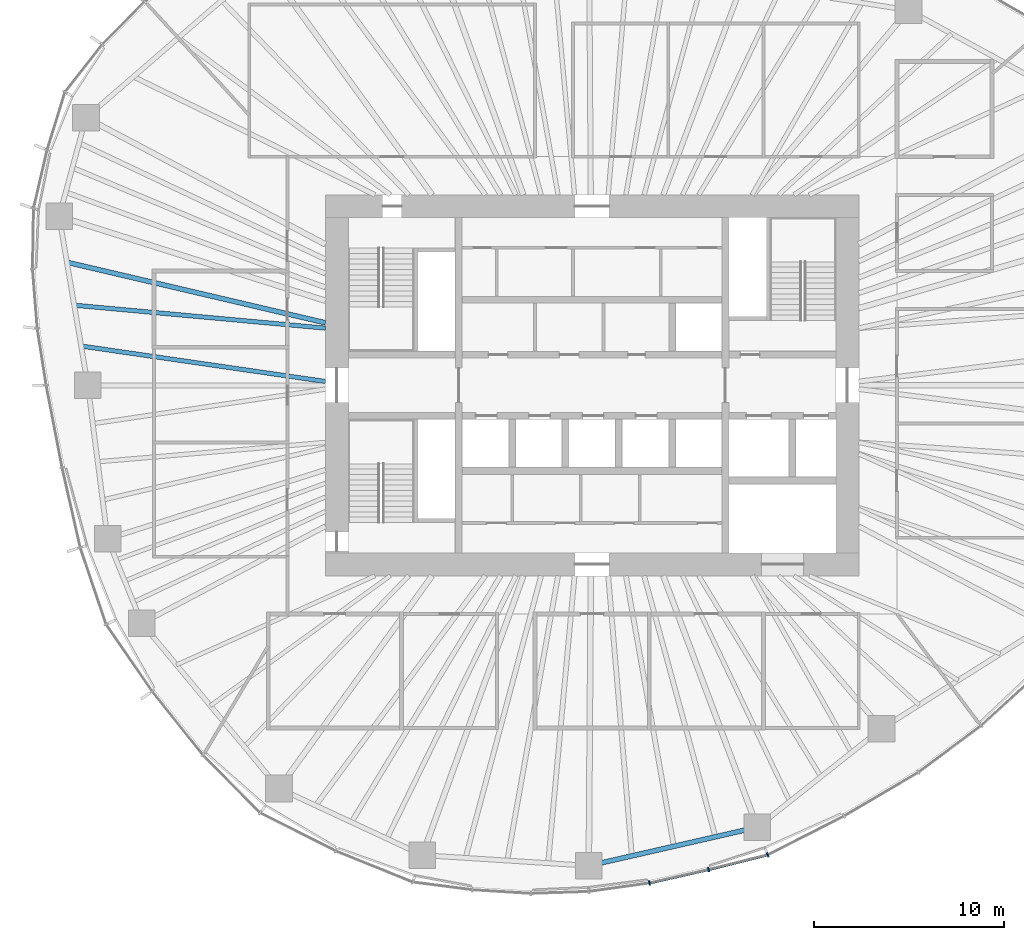
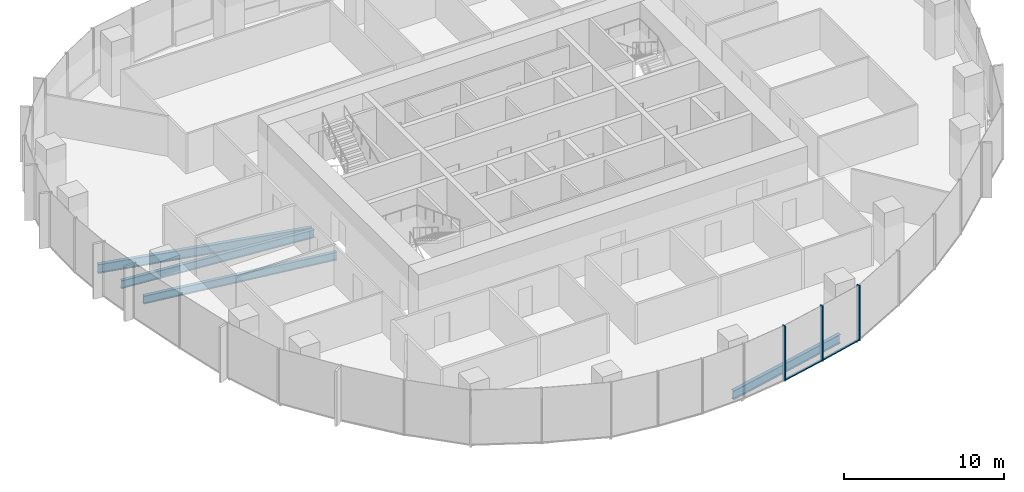
# One storey, part 3 of 18: 5 members, 4 beams, 2 elements without a shape of their own.
"""IFC4 building model written with IfcOpenShell, lengths in metres."""

import ifcopenshell
import ifcopenshell.guid

model = None  # the IFC model being written
_history = None  # IfcOwnerHistory: only IFC2X3 demands one
_inside = {}  # id of a spatial element -> (the spatial element, [elements in it])
_under = {}  # id of a project, library or spatial element -> (it, [spatial elements below it])
_declared = {}  # id of a project -> (the project, [libraries it declares])
_typed = {}  # id of a type object -> (the type object, [elements of that type])
_made_of = {}  # id of a material, layer set ... -> (it, [elements and type objects made of it])


def new_model(schema):
    """Start an empty IFC model of exactly this schema.

    Asked for "IFC4X3", IfcOpenShell would pick the latest addendum, in which some entities
    have other attributes; the version numbers below select the first issue.
    IFC2X3 requires an IfcOwnerHistory on every rooted entity: one is made here for all.
    """
    global model, _history
    if schema == "IFC4X3":
        model = ifcopenshell.file(schema_version=(4, 3, 0, 0))
    else:
        model = ifcopenshell.file(schema=schema)
    _inside.clear()
    _under.clear()
    _declared.clear()
    _typed.clear()
    _made_of.clear()
    _history = None
    if model.schema == "IFC2X3":
        org = make("IfcOrganization", Name="unknown")
        user = make(
            "IfcPersonAndOrganization",
            ThePerson=make("IfcPerson", FamilyName="unknown"),
            TheOrganization=org,
        )
        app = make(
            "IfcApplication",
            ApplicationDeveloper=org,
            Version="unknown",
            ApplicationFullName="unknown",
            ApplicationIdentifier="unknown",
        )
        _history = make(
            "IfcOwnerHistory",
            OwningUser=user,
            OwningApplication=app,
            ChangeAction="ADDED",
            CreationDate=0,
        )
    return model


def make(cls, **values):
    """One entity of the class cls with the attributes given. An attribute that is None is left unset."""
    return model.create_entity(
        cls, **{name: value for name, value in values.items() if value is not None}
    )


def rooted(cls, **values):
    """An entity with a GlobalId (a new one), such as an element, a storey or a relation."""
    return make(cls, GlobalId=ifcopenshell.guid.new(), OwnerHistory=_history, **values)


def si_unit(unit_type, name, prefix=None):
    """IfcSIUnit, for example si_unit("LENGTHUNIT", "METRE", prefix="MILLI")."""
    return make("IfcSIUnit", UnitType=unit_type, Prefix=prefix, Name=name)


def assignment(units):
    """IfcUnitAssignment: the units of a project."""
    return None if units is None else make("IfcUnitAssignment", Units=units)


def point(xyz):
    """IfcCartesianPoint."""
    return None if xyz is None else make("IfcCartesianPoint", Coordinates=xyz)


def direction(xyz):
    """IfcDirection."""
    return None if xyz is None else make("IfcDirection", DirectionRatios=xyz)


def frame(location, z_axis=None, x_axis=None):
    """IfcAxis2Placement3D, a coordinate frame: its origin and axes. An axis left out is left unset."""
    return make(
        "IfcAxis2Placement3D",
        Location=point(location),
        Axis=direction(z_axis),
        RefDirection=direction(x_axis),
    )


def frame_2d(location, x_axis=None):
    """IfcAxis2Placement2D, a coordinate frame in the plane: its origin and x axis."""
    return make(
        "IfcAxis2Placement2D", Location=point(location), RefDirection=direction(x_axis)
    )


def origin():
    """The frame at (0, 0, 0) with its axes left unset."""
    return frame((0.0, 0.0, 0.0))


def origin_2d():
    """The frame at (0, 0) in the plane with its x axis left unset."""
    return frame_2d((0.0, 0.0))


def place(relative_to, where):
    """IfcLocalPlacement: puts the frame where relative to a parent placement (None: the world)."""
    return make(
        "IfcLocalPlacement", PlacementRelTo=relative_to, RelativePlacement=where
    )


def context(
    kind, dimensions, precision=None, world=None, true_north=None, identifier=None
):
    """IfcGeometricRepresentationContext, for example the 3D "Model" context."""
    return make(
        "IfcGeometricRepresentationContext",
        ContextIdentifier=identifier,
        ContextType=kind,
        CoordinateSpaceDimension=dimensions,
        Precision=precision,
        WorldCoordinateSystem=world,
        TrueNorth=true_north,
    )


def subcontext(parent, identifier, kind, view, scale=None):
    """IfcGeometricRepresentationSubContext, for example "Body" below "Model"."""
    return make(
        "IfcGeometricRepresentationSubContext",
        ContextIdentifier=identifier,
        ContextType=kind,
        ParentContext=parent,
        TargetScale=scale,
        TargetView=view,
    )


def project(units=None, contexts=None):
    """IfcProject with its units and contexts."""
    return rooted(
        "IfcProject",
        Name="project",
        RepresentationContexts=contexts,
        UnitsInContext=assignment(units),
    )


def spatial(cls, under=None, at=None, **own):
    """A site, building, storey or space (cls), placed at a placement, below another one or the project."""
    s = rooted(cls, ObjectPlacement=at, **own)
    if under is not None:
        _under.setdefault(under.id(), (under, []))[1].append(s)
    return s


def profile(cls, at=None, kind="AREA", **sizes):
    """A parametric profile (cls). Its sizes go by their IFC names, for example OverallWidth=200.0."""
    return make(cls, ProfileType=kind, Position=at, **sizes)


def rectangle(**sizes):
    """IfcRectangleProfileDef."""
    return profile("IfcRectangleProfileDef", **sizes)


def i_section(**sizes):
    """IfcIShapeProfileDef."""
    return profile("IfcIShapeProfileDef", **sizes)


def extrude(swept, where, along, depth):
    """IfcExtrudedAreaSolid: the profile swept, set in the frame where, extruded along a direction by depth."""
    return make(
        "IfcExtrudedAreaSolid",
        SweptArea=swept,
        Position=where,
        ExtrudedDirection=direction(along),
        Depth=depth,
    )


def shape(context_of_items, identifier, shape_type, items):
    """IfcShapeRepresentation: the items that make up one representation, for example the "Body"."""
    return make(
        "IfcShapeRepresentation",
        ContextOfItems=context_of_items,
        RepresentationIdentifier=identifier,
        RepresentationType=shape_type,
        Items=items,
    )


def material(Name=None, Category=None):
    """IfcMaterial."""
    return make("IfcMaterial", Name=Name, Category=Category)


def material_profile(
    of_material, cross_section, Name=None, Category=None, Priority=None
):
    """IfcMaterialProfile: a cross section and its material."""
    return make(
        "IfcMaterialProfile",
        Name=Name,
        Material=of_material,
        Profile=cross_section,
        Priority=Priority,
        Category=Category,
    )


def profile_set(profiles, Name=None, composite=None):
    """IfcMaterialProfileSet."""
    return make(
        "IfcMaterialProfileSet",
        Name=Name,
        MaterialProfiles=profiles,
        CompositeProfile=composite,
    )


def made_of(thing, what):
    """Note that an element or type object is made of a material, layer set ...; save() writes the relation."""
    if what is not None:
        _made_of.setdefault(what.id(), (what, []))[1].append(thing)
    return thing


def type_object(cls, material=None, **own):
    """A type object (cls), such as IfcWallType, which elements share."""
    return made_of(rooted(cls, **own), material)


def element(
    cls,
    number,
    at=None,
    inside=None,
    cuts=None,
    type_object=None,
    material=None,
    context=None,
    identifier="Body",
    shape_type=None,
    held_by="IfcProductDefinitionShape",
    body=None,
    shapes=None,
    **own,
):
    """One element of the class cls, such as IfcWall. Its Tag is "e" and its number.

    at: its placement. inside: the storey or other place that contains it. cuts: it is an
    opening in that element (IfcRelVoidsElement). A single representation is given by context,
    identifier, shape_type and body (its items); several are given by shapes. held_by: the class
    of the entity that holds the representations. save() writes the other relations.
    """
    e = rooted(cls, Tag="e%d" % number, ObjectPlacement=at, **own)
    if body is not None:
        shapes = [shape(context, identifier, shape_type, body)]
    if shapes is not None:
        e.Representation = make(held_by, Representations=shapes)
    if inside is not None:
        _inside.setdefault(inside.id(), (inside, []))[1].append(e)
    if cuts is not None:
        rooted(
            "IfcRelVoidsElement", RelatingBuildingElement=cuts, RelatedOpeningElement=e
        )
    if type_object is not None:
        _typed.setdefault(type_object.id(), (type_object, []))[1].append(e)
    return made_of(e, material)


def aggregate(whole, parts):
    """IfcRelAggregates: a whole, such as a stair, and the parts it consists of."""
    return rooted("IfcRelAggregates", RelatingObject=whole, RelatedObjects=parts)


def save(model, path):
    """Write the relations noted so far, then the file.

    IfcRelAggregates (storeys below a building ...), IfcRelContainedInSpatialStructure (elements
    in a storey), IfcRelDefinesByType, IfcRelAssociatesMaterial and IfcRelDeclares: one each for
    every whole, place, type object, material and project.
    """
    for whole, parts in _under.values():
        aggregate(whole, parts)
    for where, things in _inside.values():
        rooted(
            "IfcRelContainedInSpatialStructure",
            RelatedElements=things,
            RelatingStructure=where,
        )
    for kind, things in _typed.values():
        rooted("IfcRelDefinesByType", RelatedObjects=things, RelatingType=kind)
    for what, things in _made_of.values():
        rooted("IfcRelAssociatesMaterial", RelatedObjects=things, RelatingMaterial=what)
    for by, libraries in _declared.values():
        rooted("IfcRelDeclares", RelatingContext=by, RelatedDefinitions=libraries)
    model.write(path)


model = new_model("IFC4")

# Units and contexts
model_context = context("Model", 3, precision=1e-05, world=origin(), true_north=direction((0.0, 1.0)))
body_context = subcontext(model_context, "Body", "Model", "MODEL_VIEW")
ifc_project = project(units=[si_unit("LENGTHUNIT", "METRE"), si_unit("AREAUNIT", "SQUARE_METRE"), si_unit("VOLUMEUNIT", "CUBIC_METRE"), si_unit("PLANEANGLEUNIT", "RADIAN"), si_unit("MASSUNIT", "GRAM", prefix="KILO")], contexts=[model_context])

# Site, building, storey
site_placement = place(None, origin())
site = spatial("IfcSite", under=ifc_project, at=site_placement, CompositionType="ELEMENT")
building_placement = place(site_placement, origin())
building = spatial("IfcBuilding", under=site, at=building_placement, Name="Ghaith Harvest Tower", CompositionType="ELEMENT")
storey_placement = place(building_placement, frame((0.0, 0.0, 147.0)))
storey = spatial("IfcBuildingStorey", under=building, at=storey_placement, Name="L31", CompositionType="ELEMENT", Elevation=147.0)

# Curtain wall, members
ifc_material_1 = material(Name="Black anodised aluminium and fritted glass", Category="aluminium")
curtain_wall_type = type_object("IfcCurtainWallType", Name="CW-L CURTAIN WALL", PredefinedType="NOTDEFINED", material=ifc_material_1)
curtain_wall_1_placement = place(storey_placement, origin())
curtain_wall_1 = element("IfcCurtainWall", 1, at=curtain_wall_1_placement, inside=storey, type_object=curtain_wall_type, Name="Curtain wall CW-L bay 16 L31", PredefinedType="NOTDEFINED")
ifc_material_2 = material(Name="Aluminium, black anodised", Category="aluminium")
ifc_material_profile_1 = material_profile(ifc_material_2, rectangle(XDim=0.080078125, YDim=0.239990234375, at=origin_2d()), Name="CW-L MULLION 80x240")
ifc_profile_set_1 = profile_set([ifc_material_profile_1], Name="Aluminium, black anodised")
member_type_1 = type_object("IfcMemberType", Name="CW-L MULLION 80x240", PredefinedType="MULLION", material=ifc_profile_set_1)
member_1_placement = place(storey_placement, frame((3.010009765625, -26.12939453125, 0.0), z_axis=(0.0, 0.0, 1.0), x_axis=(0.983806317978, 0.179234842337, 0.0)))
member_1 = element("IfcMember", 2, at=member_1_placement, type_object=member_type_1, Name="CW-L mullion 2 bay 16 L31", PredefinedType="MULLION", context=body_context, shape_type="SweptSolid", body=[
    extrude(rectangle(XDim=0.080078125, YDim=0.239990234375, at=origin_2d()), origin(), (0.0, 0.0, 1.0), 4.199951171875),
])
member_2_placement = place(storey_placement, frame((6.1201171875, -25.425537109375, 0.0), z_axis=(0.0, 0.0, 1.0), x_axis=(0.972918144681, 0.231149916179, 0.0)))
member_2 = element("IfcMember", 3, at=member_2_placement, type_object=member_type_1, Name="CW-L mullion 3 bay 16 L31", PredefinedType="MULLION", context=body_context, shape_type="SweptSolid", body=[
    extrude(rectangle(XDim=0.080078125, YDim=0.239990234375, at=origin_2d()), origin(), (0.0, 0.0, 1.0), 4.199951171875),
])

# Curtain wall, member
curtain_wall_2_placement = place(storey_placement, origin())
curtain_wall_2 = element("IfcCurtainWall", 4, at=curtain_wall_2_placement, inside=storey, type_object=curtain_wall_type, Name="Curtain wall CW-L bay 17 L31", PredefinedType="NOTDEFINED")
member_3_placement = place(storey_placement, frame((9.216796875, -24.654541015625, 0.0), z_axis=(0.0, 0.0, 1.0), x_axis=(0.929831847154, 0.367984695358, 0.0)))
member_3 = element("IfcMember", 5, at=member_3_placement, type_object=member_type_1, Name="CW-L mullion 1 bay 17 L31", PredefinedType="MULLION", context=body_context, shape_type="SweptSolid", body=[
    extrude(rectangle(XDim=0.080078125, YDim=0.239990234375, at=origin_2d()), origin(), (0.0, 0.0, 1.0), 4.199951171875),
])
aggregate(curtain_wall_2, [member_3])

# Member
ifc_material_3 = material(Name="Aluminium, black anodised", Category="aluminium")
ifc_material_profile_2 = material_profile(ifc_material_3, rectangle(XDim=0.14990234375, YDim=0.080078125, at=origin_2d()), Name="CW-L TRANSOM 150x80")
ifc_profile_set_2 = profile_set([ifc_material_profile_2], Name="Aluminium, black anodised")
member_type_2 = type_object("IfcMemberType", Name="CW-L TRANSOM 150x80", PredefinedType="USERDEFINED", material=ifc_profile_set_2)
member_4_placement = place(storey_placement, frame((3.048828125, -26.120361328125, 0.0400390625), z_axis=(0.975352213651, 0.22065370907, 0.0), x_axis=(-0.22065370907, 0.975352213651, 0.0)))
member_4 = element("IfcMember", 6, at=member_4_placement, type_object=member_type_2, Name="CW-L transom 2 bay 16 L31", ObjectType="TRANSOM", PredefinedType="USERDEFINED", context=body_context, shape_type="SweptSolid", body=[
    extrude(rectangle(XDim=0.14990234375, YDim=0.080078125, at=origin_2d()), origin(), (0.0, 0.0, 1.0), 3.109130859375),
])

member_5_placement = place(storey_placement, frame((6.158935546875, -25.415771484375, 0.0400390625), z_axis=(0.97039125345, 0.241538434265, 0.0), x_axis=(-0.241538434265, 0.97039125345, 0.0)))
member_5 = element("IfcMember", 7, at=member_5_placement, type_object=member_type_2, Name="CW-L transom 3 bay 16 L31", ObjectType="TRANSOM", PredefinedType="USERDEFINED", context=body_context, shape_type="SweptSolid", body=[
    extrude(rectangle(XDim=0.14990234375, YDim=0.080078125, at=origin_2d()), origin(), (0.0, 0.0, 1.0), 3.111083984375),
])

aggregate(curtain_wall_1, [member_1, member_4, member_2, member_5])

# Beams
ifc_material_4 = material(Name="Steel ASTM A992 Grade 50", Category="steel")
ifc_material_profile_3 = material_profile(ifc_material_4, i_section(OverallWidth=0.25390625, OverallDepth=0.68408203125, WebThickness=0.012451171875, FlangeThickness=0.018798828125, at=origin_2d()), Name="W690X140")
ifc_profile_set_3 = profile_set([ifc_material_profile_3], Name="Steel ASTM A992 Grade 50")
beam_type_1 = type_object("IfcBeamType", Name="E690-140 W690X140", PredefinedType="SPANDREL", material=ifc_profile_set_3)
beam_1_placement = place(storey_placement, frame((-0.173095703125, -25.22412109375, -0.511962890625), z_axis=(0.974881709383, 0.22272326486, 0.0), x_axis=(-0.22272326486, 0.974881709383, 0.0)))
element("IfcBeam", 8, at=beam_1_placement, inside=storey, type_object=beam_type_1, Name="Edge beam E16 L31", PredefinedType="SPANDREL", context=body_context, shape_type="SweptSolid", body=[
    extrude(i_section(OverallWidth=0.25390625, OverallDepth=0.68408203125, WebThickness=0.012451171875, FlangeThickness=0.018798828125, at=origin_2d()), origin(), (0.0, 0.0, 1.0), 9.0751953125),
])
ifc_material_5 = material(Name="Steel ASTM A992 Grade 50", Category="steel")
ifc_material_profile_4 = material_profile(ifc_material_5, i_section(OverallWidth=0.22900390625, OverallDepth=0.612060546875, WebThickness=0.011962890625, FlangeThickness=0.01953125, at=origin_2d()), Name="W610X125")
ifc_profile_set_4 = profile_set([ifc_material_profile_4], Name="Steel ASTM A992 Grade 50")
beam_type_2 = type_object("IfcBeamType", Name="J610-125 W610X125", PredefinedType="JOIST", material=ifc_profile_set_4)
beam_2_placement = place(storey_placement, frame((-14.0, 3.0, -0.47607421875), z_axis=(-0.995849123151, 0.091019360137, 0.0), x_axis=(-0.091019360137, -0.995849123151, 0.0)))
element("IfcBeam", 9, at=beam_2_placement, inside=storey, type_object=beam_type_2, Name="Joist J10.2 L31", PredefinedType="JOIST", context=body_context, shape_type="SweptSolid", body=[
    extrude(i_section(OverallWidth=0.22900390625, OverallDepth=0.612060546875, WebThickness=0.011962890625, FlangeThickness=0.01953125, at=origin_2d()), origin(), (0.0, 0.0, 1.0), 13.2451171875),
])
beam_3_placement = place(storey_placement, frame((-14.0, 0.199951171875, -0.47607421875), z_axis=(-0.989622120656, 0.143694322465, 0.0), x_axis=(-0.143694322465, -0.989622120656, 0.0)))
element("IfcBeam", 10, at=beam_3_placement, inside=storey, type_object=beam_type_2, Name="Joist J10.3 L31", PredefinedType="JOIST", context=body_context, shape_type="SweptSolid", body=[
    extrude(i_section(OverallWidth=0.22900390625, OverallDepth=0.612060546875, WebThickness=0.011962890625, FlangeThickness=0.01953125, at=origin_2d()), origin(), (0.0, 0.0, 1.0), 12.960205078125),
])
ifc_material_6 = material(Name="Steel ASTM A992 Grade 50", Category="steel")
ifc_material_profile_5 = material_profile(ifc_material_6, i_section(OverallWidth=0.25390625, OverallDepth=0.68408203125, WebThickness=0.012451171875, FlangeThickness=0.018798828125, at=origin_2d()), Name="W690X140")
ifc_profile_set_5 = profile_set([ifc_material_profile_5], Name="Steel ASTM A992 Grade 50")
beam_type_3 = type_object("IfcBeamType", Name="J690-140 W690X140", PredefinedType="JOIST", material=ifc_profile_set_5)
beam_4_placement = place(storey_placement, frame((-14.0, 3.280517578125, -0.511962890625), z_axis=(-0.973623240284, 0.228161753978, 0.0), x_axis=(-0.228161753978, -0.973623240284, 0.0)))
element("IfcBeam", 11, at=beam_4_placement, inside=storey, type_object=beam_type_3, Name="Joist J10.1 L31", PredefinedType="JOIST", context=body_context, shape_type="SweptSolid", body=[
    extrude(i_section(OverallWidth=0.25390625, OverallDepth=0.68408203125, WebThickness=0.012451171875, FlangeThickness=0.018798828125, at=origin_2d()), origin(), (0.0, 0.0, 1.0), 13.94140625),
])

save(model, "model.ifc")
